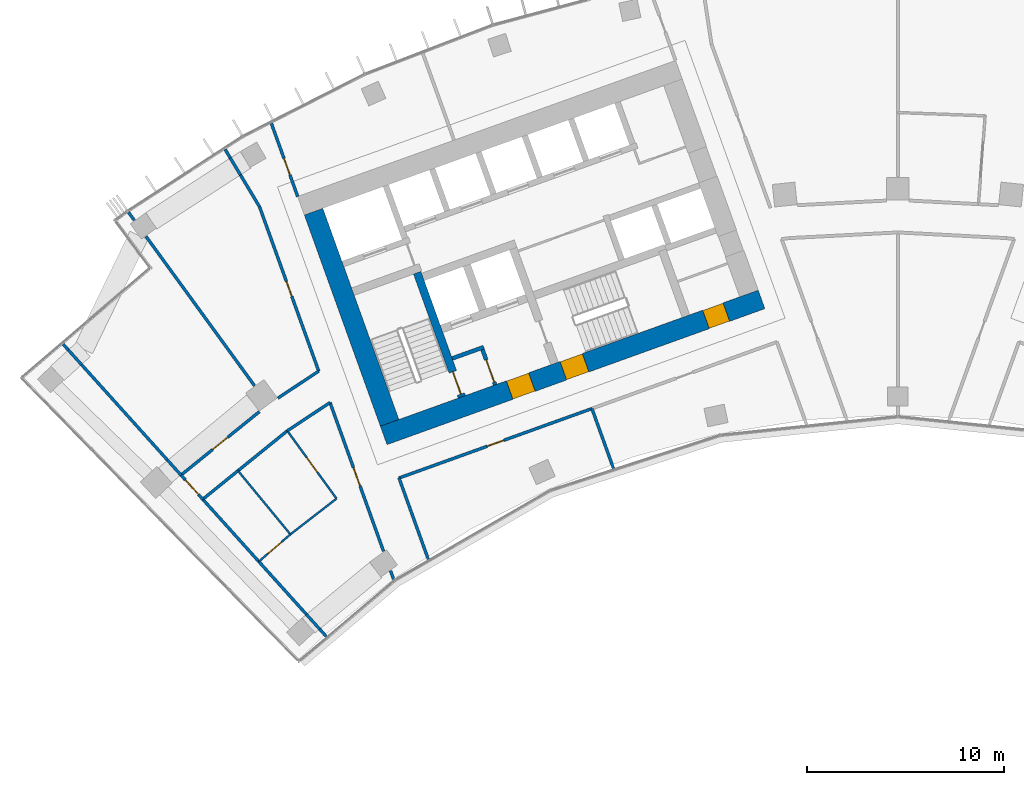
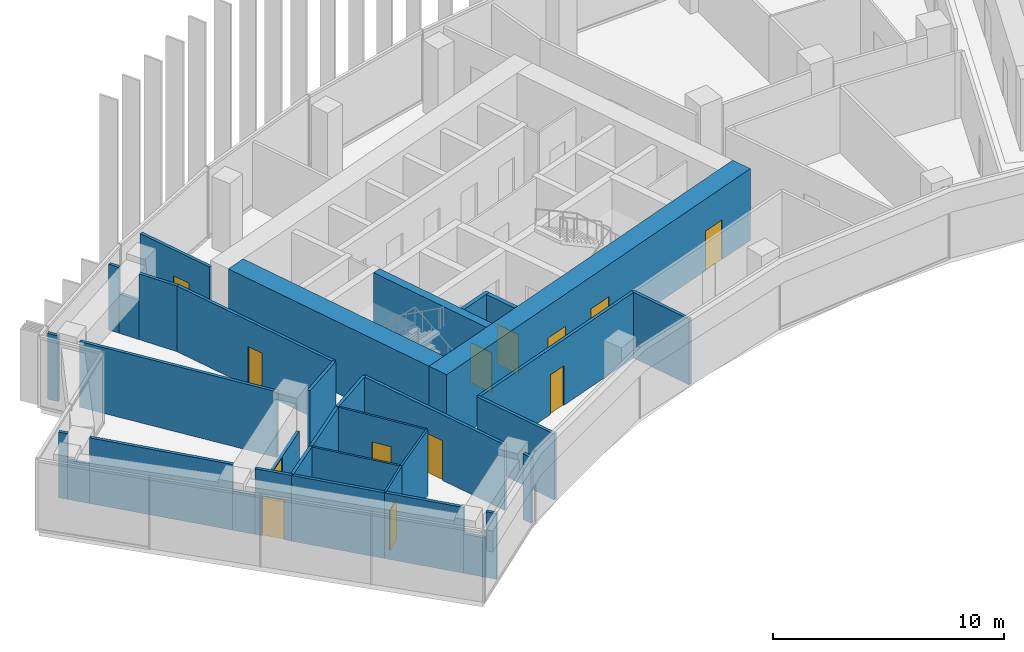
# One storey, part 13 of 19: 35 walls, 13 doors, 13 openings.
"""IFC4 building model written with IfcOpenShell, lengths in metres."""

from ifc_helpers import new_model, si_unit, direction, frame, frame_2d, origin, place, context, subcontext, project, spatial, rectangle, extrude, material, layer, layer_set, type_object, element, fill, save


model = new_model("IFC4")

# Units and contexts
model_context = context("Model", 3, precision=1e-05, world=origin(), true_north=direction((0.0, 1.0)))
body_context = subcontext(model_context, "Body", "Model", "MODEL_VIEW")
ifc_project = project(units=[si_unit("LENGTHUNIT", "METRE"), si_unit("AREAUNIT", "SQUARE_METRE"), si_unit("VOLUMEUNIT", "CUBIC_METRE"), si_unit("PLANEANGLEUNIT", "RADIAN"), si_unit("MASSUNIT", "GRAM", prefix="KILO")], contexts=[model_context])

# Site, building, storey
site_placement = place(None, origin())
site = spatial("IfcSite", under=ifc_project, at=site_placement, CompositionType="ELEMENT")
building_placement = place(site_placement, origin())
building = spatial("IfcBuilding", under=site, at=building_placement, Name="Stone Belt Terrace Tower", CompositionType="ELEMENT")
storey_placement = place(building_placement, frame((0.0, 0.0, 223.800048828125)))
storey = spatial("IfcBuildingStorey", under=building, at=storey_placement, Name="L54", CompositionType="ELEMENT", Elevation=223.800048828125)

# Wall, openings, doors
ifc_material_1 = material(Name="Concrete B60", Category="concrete")
ifc_layer_1 = layer(ifc_material_1, 1.0)
ifc_layer_set_1 = layer_set([ifc_layer_1], Name="Core wall 1000 B60")
wall_type_1 = type_object("IfcWallType", Name="Core wall 1000 B60", PredefinedType="SHEAR", material=ifc_layer_set_1)
wall_1_placement = place(storey_placement, frame((-26.122314453125, 42.462890625, 0.0), z_axis=(0.0, 0.0, 1.0), x_axis=(0.940921428504, 0.338624962727, 0.0)))
wall_1 = element("IfcWall", 1, at=wall_1_placement, inside=storey, type_object=wall_type_1, Name="Core A wall concave L54", PredefinedType="SHEAR", context=body_context, shape_type="SweptSolid", body=[
    extrude(rectangle(XDim=20.400146484375, YDim=1.0, at=frame_2d((10.2001953125, 0.0))), origin(), (0.0, 0.0, 1.0), 3.800048828125),
])
opening_1_placement = place(wall_1_placement, frame((6.800048828125, 0.0, 0.0)))
opening_1 = element("IfcOpeningElement", 2, at=opening_1_placement, cuts=wall_1, Name="Opening L54-C07", PredefinedType="OPENING", context=body_context, shape_type="SweptSolid", body=[
    extrude(rectangle(XDim=1.199951171875, YDim=2.10009765625, at=frame_2d((0.60009765625, 1.050048828125))), frame((0.0, 0.510009765625, 0.0), z_axis=(0.0, -1.0, 0.0), x_axis=(1.0, 0.0, 0.0)), (0.0, 0.0, 1.0), 1.02001953125),
])
opening_2_placement = place(wall_1_placement, frame((9.699951171875, 0.0, 0.0)))
opening_2 = element("IfcOpeningElement", 3, at=opening_2_placement, cuts=wall_1, Name="Opening L54-C09", PredefinedType="OPENING", context=body_context, shape_type="SweptSolid", body=[
    extrude(rectangle(XDim=1.199951171875, YDim=2.10009765625, at=frame_2d((0.60009765625, 1.050048828125))), frame((0.0, 0.510009765625, 0.0), z_axis=(0.0, -1.0, 0.0), x_axis=(1.0, 0.0, 0.0)), (0.0, 0.0, 1.0), 1.02001953125),
])
opening_3_placement = place(wall_1_placement, frame((17.400146484375, 0.0, 0.0)))
opening_3 = element("IfcOpeningElement", 4, at=opening_3_placement, cuts=wall_1, Name="Opening L54-C11", PredefinedType="OPENING", context=body_context, shape_type="SweptSolid", body=[
    extrude(rectangle(XDim=1.10009765625, YDim=2.10009765625, at=frame_2d((0.550048828125, 1.050048828125))), frame((0.0, 0.510009765625, 0.0), z_axis=(0.0, -1.0, 0.0), x_axis=(1.0, 0.0, 0.0)), (0.0, 0.0, 1.0), 1.02001953125),
])
ifc_material_2 = material(Name="Timber door leaf", Category="wood")
door_type_1 = type_object("IfcDoorType", Name="Core room door 1100", OperationType="SINGLE_SWING_LEFT", PredefinedType="DOOR", material=ifc_material_2)
door_1_placement = place(opening_3_placement, origin())
door_1 = element("IfcDoor", 5, at=door_1_placement, inside=storey, type_object=door_type_1, Name="Door to Cleaner's store core A", OperationType="SINGLE_SWING_RIGHT", OverallHeight=2.10009765625, OverallWidth=1.10009765625, PredefinedType="DOOR", context=body_context, shape_type="SweptSolid", body=[
    extrude(rectangle(XDim=1.10009765625, YDim=2.10009765625, at=frame_2d((0.550048828125, 1.050048828125))), frame((0.0, 0.47998046875, 0.0), z_axis=(0.0, -1.0, 0.0), x_axis=(1.0, 0.0, 0.0)), (0.0, 0.0, 1.0), 0.9599609375),
])
fill(opening_3, door_1)
ifc_material_3 = material(Name="Steel door leaf", Category="steel")
door_type_2 = type_object("IfcDoorType", Name="Fire-fighting lobby door 1200", OperationType="SINGLE_SWING_LEFT", PredefinedType="DOOR", material=ifc_material_3)
door_2_placement = place(opening_1_placement, origin())
door_2 = element("IfcDoor", 6, at=door_2_placement, inside=storey, type_object=door_type_2, Name="Fire-fighting lobby door core A", OperationType="SINGLE_SWING_RIGHT", OverallHeight=2.10009765625, OverallWidth=1.199951171875, PredefinedType="DOOR", context=body_context, shape_type="SweptSolid", body=[
    extrude(rectangle(XDim=1.199951171875, YDim=2.10009765625, at=frame_2d((0.60009765625, 1.050048828125))), frame((0.0, 0.47998046875, 0.0), z_axis=(0.0, -1.0, 0.0), x_axis=(1.0, 0.0, 0.0)), (0.0, 0.0, 1.0), 0.9599609375),
])
fill(opening_1, door_2)
door_type_3 = type_object("IfcDoorType", Name="Stair door 1200", OperationType="SINGLE_SWING_LEFT", PredefinedType="DOOR", material=ifc_material_3)
door_3_placement = place(opening_2_placement, origin())
door_3 = element("IfcDoor", 7, at=door_3_placement, inside=storey, type_object=door_type_3, Name="Stair 2 exit door core A", OperationType="SINGLE_SWING_LEFT", OverallHeight=2.10009765625, OverallWidth=1.199951171875, PredefinedType="DOOR", context=body_context, shape_type="SweptSolid", body=[
    extrude(rectangle(XDim=1.199951171875, YDim=2.10009765625, at=frame_2d((0.60009765625, 1.050048828125))), frame((0.0, 0.47998046875, 0.0), z_axis=(0.0, -1.0, 0.0), x_axis=(1.0, 0.0, 0.0)), (0.0, 0.0, 1.0), 0.9599609375),
])
fill(opening_2, door_3)

# Wall
wall_2_placement = place(storey_placement, frame((-25.821044921875, 43.102783203125, 0.0), z_axis=(0.0, 0.0, 1.0), x_axis=(-0.338625431531, 0.940921259788, 0.0)))
element("IfcWall", 8, at=wall_2_placement, inside=storey, type_object=wall_type_1, Name="Core A wall end_a L54", PredefinedType="SHEAR", context=body_context, shape_type="SweptSolid", body=[
    extrude(rectangle(XDim=11.400146484375, YDim=1.0, at=frame_2d((5.7001953125, 0.0))), origin(), (0.0, 0.0, 1.0), 3.800048828125),
])

# Wall, opening, door
ifc_material_4 = material(Name="Gypsum board partition")
ifc_layer_2 = layer(ifc_material_4, 0.10009765625)
ifc_layer_set_2 = layer_set([ifc_layer_2], Name="PARTITION 100")
wall_type_2 = type_object("IfcWallType", Name="PARTITION 100", PredefinedType="PARTITIONING", material=ifc_layer_set_2)
wall_3_placement = place(storey_placement, frame((-32.465087890625, 36.055908203125, 0.0), z_axis=(0.0, 0.0, 1.0), x_axis=(0.75756921421, 0.652754843476, 0.0)))
wall_3 = element("IfcWall", 9, at=wall_3_placement, inside=storey, type_object=wall_type_2, Name="L54/wall/i041", PredefinedType="PARTITIONING", context=body_context, shape_type="SweptSolid", body=[
    extrude(rectangle(XDim=2.1171875, YDim=0.10009765625, at=frame_2d((1.05859375, 0.0))), origin(), (0.0, 0.0, 1.0), 3.47998046875),
])
opening_4_placement = place(wall_3_placement, frame((0.608642578125, 0.0, 0.0)))
opening_4 = element("IfcOpeningElement", 10, at=opening_4_placement, cuts=wall_3, Name="Opening D-D3-11", PredefinedType="OPENING", context=body_context, shape_type="SweptSolid", body=[
    extrude(rectangle(XDim=0.89990234375, YDim=2.10009765625, at=frame_2d((0.449951171875, 1.050048828125))), frame((0.0, 0.06005859375, 0.0), z_axis=(0.0, -1.0, 0.0), x_axis=(1.0, 0.0, 0.0)), (0.0, 0.0, 1.0), 0.1201171875),
])
door_type_4 = type_object("IfcDoorType", Name="OFFICE DOOR 900 X 2100", OperationType="NOTDEFINED", PredefinedType="DOOR", material=ifc_material_2)
door_4_placement = place(opening_4_placement, origin())
door_4 = element("IfcDoor", 11, at=door_4_placement, inside=storey, type_object=door_type_4, Name="L54/door/i11", OperationType="SINGLE_SWING_RIGHT", OverallHeight=2.10009765625, OverallWidth=0.89990234375, PredefinedType="DOOR", context=body_context, shape_type="SweptSolid", body=[
    extrude(rectangle(XDim=0.89990234375, YDim=2.10009765625, at=frame_2d((0.449951171875, 1.050048828125))), frame((0.0, 0.02490234375, 0.0), z_axis=(0.0, -1.0, 0.0), x_axis=(1.0, 0.0, 0.0)), (0.0, 0.0, 1.0), 0.050048828125),
])
fill(opening_4, door_4)

# Wall
wall_4_placement = place(storey_placement, frame((-30.861083984375, 37.43798828125, 0.0), z_axis=(0.0, 0.0, 1.0), x_axis=(0.790721134515, 0.612176516562, 0.0)))
element("IfcWall", 12, at=wall_4_placement, inside=storey, type_object=wall_type_2, Name="L54/wall/i042", PredefinedType="PARTITIONING", context=body_context, shape_type="SweptSolid", body=[
    extrude(rectangle(XDim=2.963134765625, YDim=0.10009765625, at=frame_2d((1.4814453125, 0.0))), origin(), (0.0, 0.0, 1.0), 3.47998046875),
])

# Wall, opening, door
wall_5_placement = place(storey_placement, frame((-28.51708984375, 39.2529296875, 0.0), z_axis=(0.0, 0.0, 1.0), x_axis=(-0.587735122858, 0.809053413169, 0.0)))
wall_5 = element("IfcWall", 13, at=wall_5_placement, inside=storey, type_object=wall_type_2, Name="L54/wall/i043", PredefinedType="PARTITIONING", context=body_context, shape_type="SweptSolid", body=[
    extrude(rectangle(XDim=4.2568359375, YDim=0.10009765625, at=frame_2d((2.12841796875, 0.0))), origin(), (0.0, 0.0, 1.0), 3.47998046875),
])
opening_5_placement = place(wall_5_placement, frame((1.678466796875, 0.0, 0.0)))
opening_5 = element("IfcOpeningElement", 14, at=opening_5_placement, cuts=wall_5, Name="Opening D-D3-12", PredefinedType="OPENING", context=body_context, shape_type="SweptSolid", body=[
    extrude(rectangle(XDim=0.89990234375, YDim=2.10009765625, at=frame_2d((0.449951171875, 1.050048828125))), frame((0.0, 0.06005859375, 0.0), z_axis=(0.0, -1.0, 0.0), x_axis=(1.0, 0.0, 0.0)), (0.0, 0.0, 1.0), 0.1201171875),
])
door_5_placement = place(opening_5_placement, origin())
door_5 = element("IfcDoor", 15, at=door_5_placement, inside=storey, type_object=door_type_4, Name="L54/door/i12", OperationType="SINGLE_SWING_RIGHT", OverallHeight=2.10009765625, OverallWidth=0.89990234375, PredefinedType="DOOR", context=body_context, shape_type="SweptSolid", body=[
    extrude(rectangle(XDim=0.89990234375, YDim=2.10009765625, at=frame_2d((0.449951171875, 1.050048828125))), frame((0.0, 0.02490234375, 0.0), z_axis=(0.0, -1.0, 0.0), x_axis=(1.0, 0.0, 0.0)), (0.0, 0.0, 1.0), 0.050048828125),
])
fill(opening_5, door_5)

# Walls
wall_6_placement = place(storey_placement, frame((-33.52392578125, 40.66796875, 0.0), z_axis=(0.0, 0.0, 1.0), x_axis=(0.636113972955, -0.771595109764, 0.0)))
element("IfcWall", 16, at=wall_6_placement, inside=storey, type_object=wall_type_2, Name="L54/wall/i044", PredefinedType="PARTITIONING", context=body_context, shape_type="SweptSolid", body=[
    extrude(rectangle(XDim=4.18603515625, YDim=0.10009765625, at=frame_2d((2.093017578125, 0.0))), origin(), (0.0, 0.0, 1.0), 3.47998046875),
])
ifc_layer_3 = layer(ifc_material_4, 0.14990234375)
ifc_layer_set_3 = layer_set([ifc_layer_3], Name="PARTITION 150 EI 60")
wall_type_3 = type_object("IfcWallType", Name="PARTITION 150 EI 60", PredefinedType="PARTITIONING", material=ifc_layer_set_3)
wall_7_placement = place(storey_placement, frame((-25.344970703125, 40.304931640625, 0.0), z_axis=(0.0, 0.0, 1.0), x_axis=(0.338603151709, -0.94092927771, 0.0)))
element("IfcWall", 17, at=wall_7_placement, inside=storey, type_object=wall_type_3, Name="L54/wall/i001", PredefinedType="PARTITIONING", context=body_context, shape_type="SweptSolid", body=[
    extrude(rectangle(XDim=4.38525390625, YDim=0.14990234375, at=frame_2d((2.192626953125, 0.0))), origin(), (0.0, 0.0, 1.0), 3.47998046875),
])

# Wall, opening, door
wall_8_placement = place(storey_placement, frame((-31.826904296875, 58.314208984375, 0.0), z_axis=(0.0, 0.0, 1.0), x_axis=(0.338542007836, -0.940951278723, 0.0)))
wall_8 = element("IfcWall", 18, at=wall_8_placement, inside=storey, type_object=wall_type_3, Name="L54/wall/i002", PredefinedType="PARTITIONING", context=body_context, shape_type="SweptSolid", body=[
    extrude(rectangle(XDim=3.946044921875, YDim=0.14990234375, at=frame_2d((1.97314453125, 0.0))), origin(), (0.0, 0.0, 1.0), 3.47998046875),
])
opening_6_placement = place(wall_8_placement, frame((1.889892578125, 0.0, 0.0)))
opening_6 = element("IfcOpeningElement", 19, at=opening_6_placement, cuts=wall_8, Name="Opening D-D3-03", PredefinedType="OPENING", context=body_context, shape_type="SweptSolid", body=[
    extrude(rectangle(XDim=0.89990234375, YDim=2.10009765625, at=frame_2d((0.449951171875, 1.050048828125))), frame((0.0, 0.0849609375, 0.0), z_axis=(0.0, -1.0, 0.0), x_axis=(1.0, 0.0, 0.0)), (0.0, 0.0, 1.0), 0.169921875),
])
door_6_placement = place(opening_6_placement, origin())
door_6 = element("IfcDoor", 20, at=door_6_placement, inside=storey, type_object=door_type_4, Name="L54/door/i03", OperationType="SINGLE_SWING_RIGHT", OverallHeight=2.10009765625, OverallWidth=0.89990234375, PredefinedType="DOOR", context=body_context, shape_type="SweptSolid", body=[
    extrude(rectangle(XDim=0.89990234375, YDim=2.10009765625, at=frame_2d((0.449951171875, 1.050048828125))), frame((0.0, 0.02490234375, 0.0), z_axis=(0.0, -1.0, 0.0), x_axis=(1.0, 0.0, 0.0)), (0.0, 0.0, 1.0), 0.050048828125),
])
fill(opening_6, door_6)

# Wall
wall_9_placement = place(storey_placement, frame((-25.619140625, 35.159912109375, 0.0), z_axis=(0.0, 0.0, 1.0), x_axis=(-0.338377097513, 0.941010594988, 0.0)))
element("IfcWall", 21, at=wall_9_placement, inside=storey, type_object=wall_type_3, Name="L54/wall/i003", PredefinedType="PARTITIONING", context=body_context, shape_type="SweptSolid", body=[
    extrude(rectangle(XDim=0.45458984375, YDim=0.14990234375, at=frame_2d((0.227294921875, 0.0))), origin(), (0.0, 0.0, 1.0), 3.47998046875),
])

# Wall, opening, door
wall_10_placement = place(storey_placement, frame((-26.129150390625, 36.577392578125, 0.0), z_axis=(0.0, 0.0, 1.0), x_axis=(-0.338625862553, 0.940921104668, 0.0)))
wall_10 = element("IfcWall", 22, at=wall_10_placement, inside=storey, type_object=wall_type_3, Name="L54/wall/i004", PredefinedType="PARTITIONING", context=body_context, shape_type="SweptSolid", body=[
    extrude(rectangle(XDim=8.03515625, YDim=0.14990234375, at=frame_2d((4.017578125, 0.0))), origin(), (0.0, 0.0, 1.0), 3.47998046875),
])
opening_7_placement = place(wall_10_placement, frame((3.517578125, 0.0, 0.0)))
opening_7 = element("IfcOpeningElement", 23, at=opening_7_placement, cuts=wall_10, Name="Opening D-D3-10", PredefinedType="OPENING", context=body_context, shape_type="SweptSolid", body=[
    extrude(rectangle(XDim=1.0, YDim=2.10009765625, at=frame_2d((0.5, 1.050048828125))), frame((0.0, 0.0849609375, 0.0), z_axis=(0.0, -1.0, 0.0), x_axis=(1.0, 0.0, 0.0)), (0.0, 0.0, 1.0), 0.169921875),
])
ifc_material_5 = material(Name="Timber fire door leaf", Category="wood")
door_type_5 = type_object("IfcDoorType", Name="TENANCY ENTRANCE DOOR 1000 X 2100", OperationType="NOTDEFINED", PredefinedType="DOOR", material=ifc_material_5)
door_7_placement = place(opening_7_placement, origin())
door_7 = element("IfcDoor", 24, at=door_7_placement, inside=storey, type_object=door_type_5, Name="L54/door/i10", OperationType="SINGLE_SWING_RIGHT", OverallHeight=2.10009765625, OverallWidth=1.0, PredefinedType="DOOR", context=body_context, shape_type="SweptSolid", body=[
    extrude(rectangle(XDim=1.0, YDim=2.10009765625, at=frame_2d((0.5, 1.050048828125))), frame((0.0, 0.02490234375, 0.0), z_axis=(0.0, -1.0, 0.0), x_axis=(1.0, 0.0, 0.0)), (0.0, 0.0, 1.0), 0.050048828125),
])
fill(opening_7, door_7)

wall_11_placement = place(storey_placement, frame((-29.4208984375, 45.721923828125, 0.0), z_axis=(0.0, 0.0, 1.0), x_axis=(-0.338648394699, 0.940912995323, 0.0)))
wall_11 = element("IfcWall", 25, at=wall_11_placement, inside=storey, type_object=wall_type_3, Name="L54/wall/i005", PredefinedType="PARTITIONING", context=body_context, shape_type="SweptSolid", body=[
    extrude(rectangle(XDim=8.879638671875, YDim=0.14990234375, at=frame_2d((4.43994140625, 0.0))), origin(), (0.0, 0.0, 1.0), 3.47998046875),
])
opening_8_placement = place(wall_11_placement, frame((4.039794921875, 0.0, 0.0)))
opening_8 = element("IfcOpeningElement", 26, at=opening_8_placement, cuts=wall_11, Name="Opening D-D3-13", PredefinedType="OPENING", context=body_context, shape_type="SweptSolid", body=[
    extrude(rectangle(XDim=0.800048828125, YDim=2.10009765625, at=frame_2d((0.39990234375, 1.050048828125))), frame((0.0, 0.0849609375, 0.0), z_axis=(0.0, -1.0, 0.0), x_axis=(1.0, 0.0, 0.0)), (0.0, 0.0, 1.0), 0.169921875),
])
door_type_6 = type_object("IfcDoorType", Name="STORE DOOR 800 X 2100", OperationType="NOTDEFINED", PredefinedType="DOOR", material=ifc_material_2)
door_8_placement = place(opening_8_placement, origin())
door_8 = element("IfcDoor", 27, at=door_8_placement, inside=storey, type_object=door_type_6, Name="L54/door/i13", OperationType="SINGLE_SWING_LEFT", OverallHeight=2.10009765625, OverallWidth=0.800048828125, PredefinedType="DOOR", context=body_context, shape_type="SweptSolid", body=[
    extrude(rectangle(XDim=0.800048828125, YDim=2.10009765625, at=frame_2d((0.39990234375, 1.050048828125))), frame((0.0, 0.02490234375, 0.0), z_axis=(0.0, -1.0, 0.0), x_axis=(1.0, 0.0, 0.0)), (0.0, 0.0, 1.0), 0.050048828125),
])
fill(opening_8, door_8)

# Walls
wall_12_placement = place(storey_placement, frame((-32.427978515625, 54.076904296875, 0.0), z_axis=(0.0, 0.0, 1.0), x_axis=(-0.514229120886, 0.85765285007, 0.0)))
element("IfcWall", 28, at=wall_12_placement, inside=storey, type_object=wall_type_3, Name="L54/wall/i006-1", PredefinedType="PARTITIONING", context=body_context, shape_type="SweptSolid", body=[
    extrude(rectangle(XDim=1.88525390625, YDim=0.14990234375, at=frame_2d((0.942626953125, 0.0))), origin(), (0.0, 0.0, 1.0), 3.47998046875),
])
wall_13_placement = place(storey_placement, frame((-33.3974609375, 55.69384765625, 0.0), z_axis=(0.0, 0.0, 1.0), x_axis=(-0.514174413852, 0.85768564879, 0.0)))
element("IfcWall", 29, at=wall_13_placement, inside=storey, type_object=wall_type_3, Name="L54/wall/i006-2", PredefinedType="PARTITIONING", context=body_context, shape_type="SweptSolid", body=[
    extrude(rectangle(XDim=1.005615234375, YDim=0.14990234375, at=frame_2d((0.5029296875, 0.0))), origin(), (0.0, 0.0, 1.0), 2.079833984375),
])
wall_14_placement = place(storey_placement, frame((-33.91455078125, 56.556396484375, 0.0), z_axis=(0.0, 0.0, 1.0), x_axis=(-0.514140406358, 0.857706035043, 0.0)))
element("IfcWall", 30, at=wall_14_placement, inside=storey, type_object=wall_type_3, Name="L54/wall/i006-3", PredefinedType="PARTITIONING", context=body_context, shape_type="SweptSolid", body=[
    extrude(rectangle(XDim=0.505126953125, YDim=0.14990234375, at=frame_2d((0.25244140625, 0.0))), origin(), (0.0, 0.0, 1.0), 3.47998046875),
])

# Wall, opening, door
wall_15_placement = place(storey_placement, frame((-15.537109375, 43.827880859375, 0.0), z_axis=(0.0, 0.0, 1.0), x_axis=(-0.940927721448, -0.338607476306, 0.0)))
wall_15 = element("IfcWall", 31, at=wall_15_placement, inside=storey, type_object=wall_type_3, Name="L54/wall/i012", PredefinedType="PARTITIONING", context=body_context, shape_type="SweptSolid", body=[
    extrude(rectangle(XDim=10.421630859375, YDim=0.14990234375, at=frame_2d((5.2109375, 0.0))), origin(), (0.0, 0.0, 1.0), 3.47998046875),
])
opening_9_placement = place(wall_15_placement, frame((4.7607421875, 0.0, 0.0)))
opening_9 = element("IfcOpeningElement", 32, at=opening_9_placement, cuts=wall_15, Name="Opening D-D3-01", PredefinedType="OPENING", context=body_context, shape_type="SweptSolid", body=[
    extrude(rectangle(XDim=0.89990234375, YDim=2.10009765625, at=frame_2d((0.449951171875, 1.050048828125))), frame((0.0, 0.0849609375, 0.0), z_axis=(0.0, -1.0, 0.0), x_axis=(1.0, 0.0, 0.0)), (0.0, 0.0, 1.0), 0.169921875),
])
door_9_placement = place(opening_9_placement, origin())
door_9 = element("IfcDoor", 33, at=door_9_placement, inside=storey, type_object=door_type_4, Name="L54/door/i01", OperationType="SINGLE_SWING_RIGHT", OverallHeight=2.10009765625, OverallWidth=0.89990234375, PredefinedType="DOOR", context=body_context, shape_type="SweptSolid", body=[
    extrude(rectangle(XDim=0.89990234375, YDim=2.10009765625, at=frame_2d((0.449951171875, 1.050048828125))), frame((0.0, 0.02490234375, 0.0), z_axis=(0.0, -1.0, 0.0), x_axis=(1.0, 0.0, 0.0)), (0.0, 0.0, 1.0), 0.050048828125),
])
fill(opening_9, door_9)

# Wall
wall_16_placement = place(storey_placement, frame((-15.54296875, 43.825927734375, 0.0), z_axis=(0.0, 0.0, 1.0), x_axis=(0.338427160109, -0.940992591523, 0.0)))
element("IfcWall", 34, at=wall_16_placement, inside=storey, type_object=wall_type_3, Name="L54/wall/i014", PredefinedType="PARTITIONING", context=body_context, shape_type="SweptSolid", body=[
    extrude(rectangle(XDim=3.223876953125, YDim=0.14990234375, at=frame_2d((1.61181640625, 0.0))), origin(), (0.0, 0.0, 1.0), 3.47998046875),
])

# Wall, opening, door
wall_17_placement = place(storey_placement, frame((-35.30908203125, 39.214111328125, 0.0), z_axis=(0.0, 0.0, 1.0), x_axis=(-0.668818666109, 0.743425579237, 0.0)))
wall_17 = element("IfcWall", 35, at=wall_17_placement, inside=storey, type_object=wall_type_3, Name="L54/wall/i032", PredefinedType="PARTITIONING", context=body_context, shape_type="SweptSolid", body=[
    extrude(rectangle(XDim=1.662353515625, YDim=0.14990234375, at=frame_2d((0.8310546875, 0.0))), origin(), (0.0, 0.0, 1.0), 3.47998046875),
])
opening_10_placement = place(wall_17_placement, frame((0.331298828125, 0.0, 0.0)))
opening_10 = element("IfcOpeningElement", 36, at=opening_10_placement, cuts=wall_17, Name="Opening D-D3-09", PredefinedType="OPENING", context=body_context, shape_type="SweptSolid", body=[
    extrude(rectangle(XDim=1.0, YDim=2.10009765625, at=frame_2d((0.5, 1.050048828125))), frame((0.0, 0.0849609375, 0.0), z_axis=(0.0, -1.0, 0.0), x_axis=(1.0, 0.0, 0.0)), (0.0, 0.0, 1.0), 0.169921875),
])
door_10_placement = place(opening_10_placement, origin())
door_10 = element("IfcDoor", 37, at=door_10_placement, inside=storey, type_object=door_type_5, Name="L54/door/i09", OperationType="SINGLE_SWING_RIGHT", OverallHeight=2.10009765625, OverallWidth=1.0, PredefinedType="DOOR", context=body_context, shape_type="SweptSolid", body=[
    extrude(rectangle(XDim=1.0, YDim=2.10009765625, at=frame_2d((0.5, 1.050048828125))), frame((0.0, 0.02490234375, 0.0), z_axis=(0.0, -1.0, 0.0), x_axis=(1.0, 0.0, 0.0)), (0.0, 0.0, 1.0), 0.050048828125),
])
fill(opening_10, door_10)

# Walls
wall_18_placement = place(storey_placement, frame((-32.468994140625, 36.06005859375, 0.0), z_axis=(0.0, 0.0, 1.0), x_axis=(0.669199549824, -0.743082742711, 0.0)))
element("IfcWall", 38, at=wall_18_placement, inside=storey, type_object=wall_type_3, Name="L54/wall/i033-1", PredefinedType="PARTITIONING", context=body_context, shape_type="SweptSolid", body=[
    extrude(rectangle(XDim=3.618408203125, YDim=0.14990234375, at=frame_2d((1.80908203125, 0.0))), origin(), (0.0, 0.0, 1.0), 3.47998046875),
])
wall_19_placement = place(storey_placement, frame((-30.047607421875, 33.371337890625, 0.0), z_axis=(0.0, 0.0, 1.0), x_axis=(0.669058443033, -0.743209795285, 0.0)))
element("IfcWall", 39, at=wall_19_placement, inside=storey, type_object=wall_type_3, Name="L54/wall/i033-2", PredefinedType="PARTITIONING", context=body_context, shape_type="SweptSolid", body=[
    extrude(rectangle(XDim=1.007568359375, YDim=0.14990234375, at=frame_2d((0.50390625, 0.0))), origin(), (0.0, 0.0, 1.0), 2.079833984375),
])
wall_20_placement = place(storey_placement, frame((-29.37353515625, 32.62255859375, 0.0), z_axis=(0.0, 0.0, 1.0), x_axis=(0.669211181463, -0.743072267417, 0.0)))
element("IfcWall", 40, at=wall_20_placement, inside=storey, type_object=wall_type_3, Name="L54/wall/i033-3", PredefinedType="PARTITIONING", context=body_context, shape_type="SweptSolid", body=[
    extrude(rectangle(XDim=0.492431640625, YDim=0.14990234375, at=frame_2d((0.24609375, 0.0))), origin(), (0.0, 0.0, 1.0), 3.47998046875),
])
wall_21_placement = place(storey_placement, frame((-35.31689453125, 39.222900390625, 0.0), z_axis=(0.0, 0.0, 1.0), x_axis=(0.669129047612, -0.743146228977, 0.0)))
element("IfcWall", 41, at=wall_21_placement, inside=storey, type_object=wall_type_3, Name="L54/wall/i034", PredefinedType="PARTITIONING", context=body_context, shape_type="SweptSolid", body=[
    extrude(rectangle(XDim=4.26806640625, YDim=0.14990234375, at=frame_2d((2.134033203125, 0.0))), origin(), (0.0, 0.0, 1.0), 3.47998046875),
])
wall_22_placement = place(storey_placement, frame((-42.406982421875, 47.097412109375, 0.0), z_axis=(0.0, 0.0, 1.0), x_axis=(0.668998922651, -0.743263372898, 0.0)))
element("IfcWall", 42, at=wall_22_placement, inside=storey, type_object=wall_type_3, Name="L54/wall/i035-1", PredefinedType="PARTITIONING", context=body_context, shape_type="SweptSolid", body=[
    extrude(rectangle(XDim=0.39453125, YDim=0.14990234375, at=frame_2d((0.197265625, 0.0))), origin(), (0.0, 0.0, 1.0), 3.47998046875),
])
wall_23_placement = place(storey_placement, frame((-42.14306640625, 46.80419921875, 0.0), z_axis=(0.0, 0.0, 1.0), x_axis=(0.669072495236, -0.743197144854, 0.0)))
element("IfcWall", 43, at=wall_23_placement, inside=storey, type_object=wall_type_3, Name="L54/wall/i035-2", PredefinedType="PARTITIONING", context=body_context, shape_type="SweptSolid", body=[
    extrude(rectangle(XDim=1.001220703125, YDim=0.14990234375, at=frame_2d((0.50048828125, 0.0))), origin(), (0.0, 0.0, 1.0), 2.079833984375),
])
wall_24_placement = place(storey_placement, frame((-41.47314453125, 46.06005859375, 0.0), z_axis=(0.0, 0.0, 1.0), x_axis=(0.669117366249, -0.743156746712, 0.0)))
element("IfcWall", 44, at=wall_24_placement, inside=storey, type_object=wall_type_3, Name="L54/wall/i035-3", PredefinedType="PARTITIONING", context=body_context, shape_type="SweptSolid", body=[
    extrude(rectangle(XDim=6.538818359375, YDim=0.14990234375, at=frame_2d((3.26953125, 0.0))), origin(), (0.0, 0.0, 1.0), 3.47998046875),
])
wall_25_placement = place(storey_placement, frame((-37.097900390625, 41.20068359375, 0.0), z_axis=(0.0, 0.0, 1.0), x_axis=(0.668991122372, -0.743270393724, 0.0)))
element("IfcWall", 45, at=wall_25_placement, inside=storey, type_object=wall_type_3, Name="L54/wall/i035-4", PredefinedType="PARTITIONING", context=body_context, shape_type="SweptSolid", body=[
    extrude(rectangle(XDim=1.022216796875, YDim=0.14990234375, at=frame_2d((0.51123046875, 0.0))), origin(), (0.0, 0.0, 1.0), 2.079833984375),
])
wall_26_placement = place(storey_placement, frame((-28.84912109375, 44.132080078125, 0.0), z_axis=(0.0, 0.0, 1.0), x_axis=(-0.834036299229, -0.551709571757, 0.0)))
element("IfcWall", 46, at=wall_26_placement, inside=storey, type_object=wall_type_3, Name="L54/wall/i036", PredefinedType="PARTITIONING", context=body_context, shape_type="SweptSolid", body=[
    extrude(rectangle(XDim=2.602783203125, YDim=0.14990234375, at=frame_2d((1.30126953125, 0.0))), origin(), (0.0, 0.0, 1.0), 3.47998046875),
])
wall_27_placement = place(storey_placement, frame((-33.52001953125, 40.672119140625, 0.0), z_axis=(0.0, 0.0, 1.0), x_axis=(-0.776890002881, -0.629636342204, 0.0)))
element("IfcWall", 47, at=wall_27_placement, inside=storey, type_object=wall_type_3, Name="L54/wall/i037", PredefinedType="PARTITIONING", context=body_context, shape_type="SweptSolid", body=[
    extrude(rectangle(XDim=2.307861328125, YDim=0.14990234375, at=frame_2d((1.15380859375, 0.0))), origin(), (0.0, 0.0, 1.0), 3.47998046875),
])
wall_28_placement = place(storey_placement, frame((-31.02001953125, 42.696044921875, 0.0), z_axis=(0.0, 0.0, 1.0), x_axis=(-0.777114544424, -0.629359185875, 0.0)))
element("IfcWall", 48, at=wall_28_placement, inside=storey, type_object=wall_type_3, Name="L54/wall/i038", PredefinedType="PARTITIONING", context=body_context, shape_type="SweptSolid", body=[
    extrude(rectangle(XDim=3.228759765625, YDim=0.14990234375, at=frame_2d((1.6142578125, 0.0))), origin(), (0.0, 0.0, 1.0), 3.47998046875),
])
wall_29_placement = place(storey_placement, frame((-31.49755859375, 44.3564453125, 0.0), z_axis=(0.0, 0.0, 1.0), x_axis=(0.834158700869, 0.551524488817, 0.0)))
element("IfcWall", 49, at=wall_29_placement, inside=storey, type_object=wall_type_3, Name="L54/wall/i039", PredefinedType="PARTITIONING", context=body_context, shape_type="SweptSolid", body=[
    extrude(rectangle(XDim=2.48681640625, YDim=0.14990234375, at=frame_2d((1.243408203125, 0.0))), origin(), (0.0, 0.0, 1.0), 3.47998046875),
])

# Wall, opening, door
wall_30_placement = place(storey_placement, frame((-36.4169921875, 40.446044921875, 0.0), z_axis=(0.0, 0.0, 1.0), x_axis=(0.777143842092, 0.629323008238, 0.0)))
wall_30 = element("IfcWall", 50, at=wall_30_placement, inside=storey, type_object=wall_type_3, Name="L54/wall/i040", PredefinedType="PARTITIONING", context=body_context, shape_type="SweptSolid", body=[
    extrude(rectangle(XDim=5.12158203125, YDim=0.14990234375, at=frame_2d((2.560791015625, 0.0))), origin(), (0.0, 0.0, 1.0), 2.079833984375),
])
opening_11_placement = place(wall_30_placement, frame((2.060791015625, 0.0, 0.0)))
opening_11 = element("IfcOpeningElement", 51, at=opening_11_placement, cuts=wall_30, Name="Opening D-D3-54", PredefinedType="OPENING", context=body_context, shape_type="SweptSolid", body=[
    extrude(rectangle(XDim=1.0, YDim=2.0400390625, at=frame_2d((0.5, 1.02001953125))), frame((0.0, 0.0849609375, 0.0), z_axis=(0.0, -1.0, 0.0), x_axis=(1.0, 0.0, 0.0)), (0.0, 0.0, 1.0), 0.169921875),
])
door_type_7 = type_object("IfcDoorType", Name="TENANCY ENTRANCE DOOR 1000 X 2040", OperationType="NOTDEFINED", PredefinedType="DOOR", material=ifc_material_5)
door_11_placement = place(opening_11_placement, origin())
door_11 = element("IfcDoor", 52, at=door_11_placement, inside=storey, type_object=door_type_7, Name="L54/door/i14", OperationType="SINGLE_SWING_RIGHT", OverallHeight=2.0400390625, OverallWidth=1.0, PredefinedType="DOOR", context=body_context, shape_type="SweptSolid", body=[
    extrude(rectangle(XDim=1.0, YDim=2.0400390625, at=frame_2d((0.5, 1.02001953125))), frame((0.0, 0.02490234375, 0.0), z_axis=(0.0, -1.0, 0.0), x_axis=(1.0, 0.0, 0.0)), (0.0, 0.0, 1.0), 0.050048828125),
])
fill(opening_11, door_11)

# Walls
wall_31_placement = place(storey_placement, frame((-32.68359375, 44.985595703125, 0.0), z_axis=(0.0, 0.0, 1.0), x_axis=(-0.587803280862, 0.809003895545, 0.0)))
element("IfcWall", 53, at=wall_31_placement, inside=storey, type_object=wall_type_3, Name="L54/wall/i045-1", PredefinedType="PARTITIONING", context=body_context, shape_type="SweptSolid", body=[
    extrude(rectangle(XDim=9.37939453125, YDim=0.14990234375, at=frame_2d((4.689697265625, 0.0))), origin(), (0.0, 0.0, 1.0), 3.47998046875),
])
wall_32_placement = place(storey_placement, frame((-38.790283203125, 53.390625, 0.0), z_axis=(0.0, 0.0, 1.0), x_axis=(-0.588200388098, 0.808715217763, 0.0)))
element("IfcWall", 54, at=wall_32_placement, inside=storey, type_object=wall_type_3, Name="L54/wall/i046", PredefinedType="PARTITIONING", context=body_context, shape_type="SweptSolid", body=[
    extrude(rectangle(XDim=0.505859375, YDim=0.14990234375, at=frame_2d((0.2529296875, 0.0))), origin(), (0.0, 0.0, 1.0), 3.47998046875),
])
ifc_material_6 = material(Name="Concrete masonry block", Category="masonry")
ifc_layer_4 = layer(ifc_material_6, 0.199951171875)
ifc_layer_set_4 = layer_set([ifc_layer_4], Name="Rated lobby wall 200")
wall_type_4 = type_object("IfcWallType", Name="Rated lobby wall 200", PredefinedType="PARTITIONING", material=ifc_layer_set_4)
wall_33_placement = place(storey_placement, frame((-22.640625, 46.373046875, 0.0), z_axis=(0.0, 0.0, 1.0), x_axis=(0.940966110313, 0.338500781747, 0.0)))
element("IfcWall", 55, at=wall_33_placement, inside=storey, type_object=wall_type_4, Name="Core A wall", PredefinedType="PARTITIONING", context=body_context, shape_type="SweptSolid", body=[
    extrude(rectangle(XDim=1.699951171875, YDim=0.199951171875, at=frame_2d((0.85009765625, 0.0))), origin(), (0.0, 0.0, 1.0), 3.47998046875),
])

# Wall, opening, door
wall_34_placement = place(storey_placement, frame((-20.4580078125, 45.032958984375, 0.0), z_axis=(0.0, 0.0, 1.0), x_axis=(-0.338573865316, 0.940939816208, 0.0)))
wall_34 = element("IfcWall", 56, at=wall_34_placement, inside=storey, type_object=wall_type_4, Name="Core A wall", PredefinedType="PARTITIONING", context=body_context, shape_type="SweptSolid", body=[
    extrude(rectangle(XDim=1.900146484375, YDim=0.199951171875, at=frame_2d((0.9501953125, 0.0))), origin(), (0.0, 0.0, 1.0), 3.47998046875),
])
opening_12_placement = place(wall_34_placement, frame((0.14990234375, 0.0, 0.0)))
opening_12 = element("IfcOpeningElement", 57, at=opening_12_placement, cuts=wall_34, Name="Opening L54-C06", PredefinedType="OPENING", context=body_context, shape_type="SweptSolid", body=[
    extrude(rectangle(XDim=1.199951171875, YDim=2.10009765625, at=frame_2d((0.60009765625, 1.050048828125))), frame((0.0, 0.10986328125, 0.0), z_axis=(0.0, -1.0, 0.0), x_axis=(1.0, 0.0, 0.0)), (0.0, 0.0, 1.0), 0.219970703125),
])
door_12_placement = place(opening_12_placement, origin())
door_12 = element("IfcDoor", 58, at=door_12_placement, inside=storey, type_object=door_type_3, Name="Stair airlock door core A", OperationType="SINGLE_SWING_RIGHT", OverallHeight=2.10009765625, OverallWidth=1.199951171875, PredefinedType="DOOR", context=body_context, shape_type="SweptSolid", body=[
    extrude(rectangle(XDim=1.199951171875, YDim=2.10009765625, at=frame_2d((0.60009765625, 1.050048828125))), frame((0.0, 0.02490234375, 0.0), z_axis=(0.0, -1.0, 0.0), x_axis=(1.0, 0.0, 0.0)), (0.0, 0.0, 1.0), 0.050048828125),
])
fill(opening_12, door_12)

ifc_material_7 = material(Name="Concrete B80", Category="concrete")
ifc_layer_5 = layer(ifc_material_7, 0.39990234375)
ifc_layer_set_5 = layer_set([ifc_layer_5], Name="Stair enclosure wall 400")
wall_type_5 = type_object("IfcWallType", Name="Stair enclosure wall 400", PredefinedType="SHEAR", material=ifc_layer_set_5)
wall_35_placement = place(storey_placement, frame((-22.151611328125, 44.42333984375, 0.0), z_axis=(0.0, 0.0, 1.0), x_axis=(-0.338625272931, 0.940921316866, 0.0)))
wall_35 = element("IfcWall", 59, at=wall_35_placement, inside=storey, type_object=wall_type_5, Name="Core A wall", PredefinedType="SHEAR", context=body_context, shape_type="SweptSolid", body=[
    extrude(rectangle(XDim=6.699951171875, YDim=0.39990234375, at=frame_2d((3.35009765625, 0.0))), origin(), (0.0, 0.0, 1.0), 3.47998046875),
])
opening_13_placement = place(wall_35_placement, frame((0.14990234375, 0.0, 0.0)))
opening_13 = element("IfcOpeningElement", 60, at=opening_13_placement, cuts=wall_35, Name="Opening L54-C05", PredefinedType="OPENING", context=body_context, shape_type="SweptSolid", body=[
    extrude(rectangle(XDim=1.199951171875, YDim=2.10009765625, at=frame_2d((0.60009765625, 1.050048828125))), frame((0.0, 0.2099609375, 0.0), z_axis=(0.0, -1.0, 0.0), x_axis=(1.0, 0.0, 0.0)), (0.0, 0.0, 1.0), 0.419921875),
])
door_13_placement = place(opening_13_placement, origin())
door_13 = element("IfcDoor", 61, at=door_13_placement, inside=storey, type_object=door_type_3, Name="Stair 1 door core A", OperationType="SINGLE_SWING_RIGHT", OverallHeight=2.10009765625, OverallWidth=1.199951171875, PredefinedType="DOOR", context=body_context, shape_type="SweptSolid", body=[
    extrude(rectangle(XDim=1.199951171875, YDim=2.10009765625, at=frame_2d((0.60009765625, 1.050048828125))), frame((0.0, 0.02490234375, 0.0), z_axis=(0.0, -1.0, 0.0), x_axis=(1.0, 0.0, 0.0)), (0.0, 0.0, 1.0), 0.050048828125),
])
fill(opening_13, door_13)

save(model, "model.ifc")
